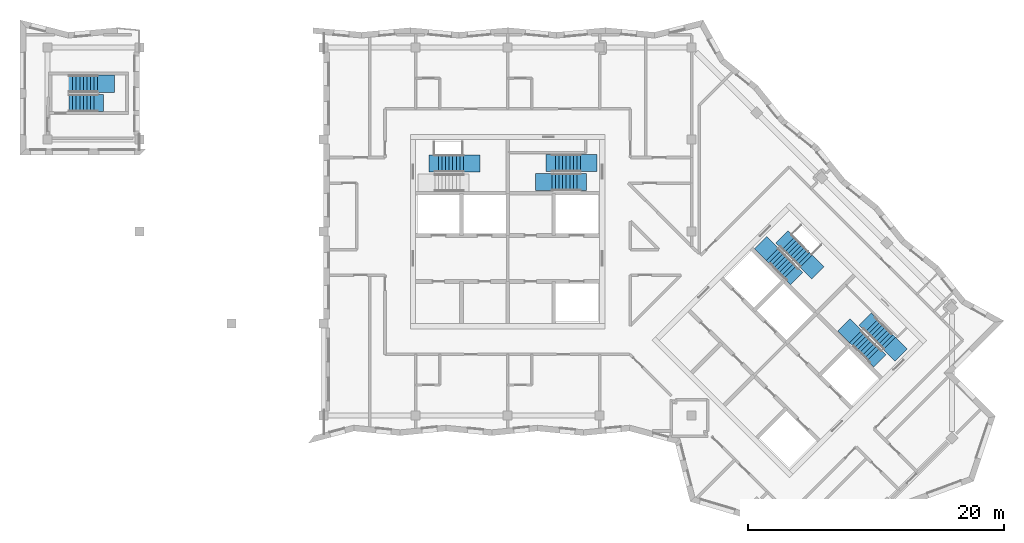
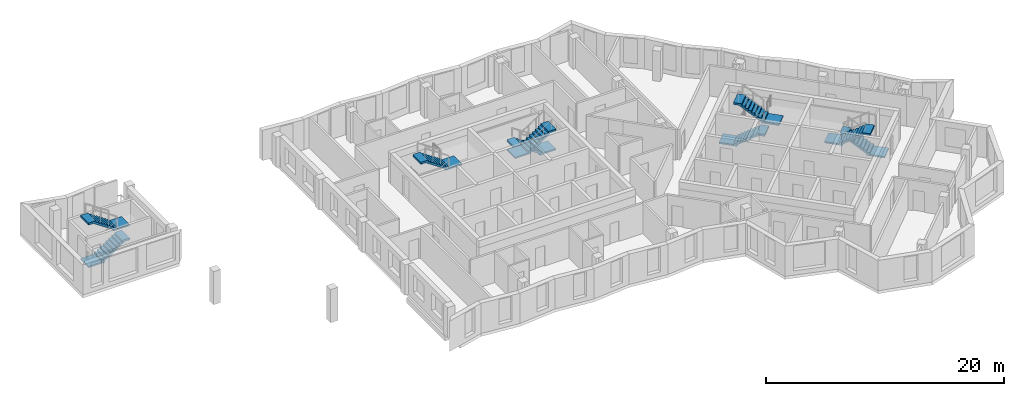
# One storey, part 8 of 12: 9 stair flights, 5 elements without a shape of their own.
"""IFC4 building model written with IfcOpenShell, lengths in metres."""

from ifc_helpers import new_model, si_unit, direction, frame, origin, place, context, subcontext, project, spatial, polyline, outline, extrude, material, type_object, element, aggregate, save


model = new_model("IFC4")

# Units and contexts
model_context = context("Model", 3, precision=1e-05, world=origin(), true_north=direction((0.0, 1.0)))
body_context = subcontext(model_context, "Body", "Model", "MODEL_VIEW")
ifc_project = project(units=[si_unit("LENGTHUNIT", "METRE"), si_unit("AREAUNIT", "SQUARE_METRE"), si_unit("VOLUMEUNIT", "CUBIC_METRE"), si_unit("PLANEANGLEUNIT", "RADIAN"), si_unit("MASSUNIT", "GRAM", prefix="KILO")], contexts=[model_context])

# Site, building, storey
site_placement = place(None, origin())
site = spatial("IfcSite", under=ifc_project, at=site_placement, CompositionType="ELEMENT")
building_placement = place(site_placement, origin())
building = spatial("IfcBuilding", under=site, at=building_placement, Name="Windrow Commons", CompositionType="ELEMENT")
storey_placement = place(building_placement, frame((0.0, 0.0, 250.6)))
storey = spatial("IfcBuildingStorey", under=building, at=storey_placement, Name="L68", CompositionType="ELEMENT", Elevation=250.6)

# Stair, stair flight
ifc_material_1 = material(Name="Concrete C40/50", Category="concrete")
stair_type = type_object("IfcStairType", Name="Core stair", PredefinedType="HALF_TURN_STAIR", material=ifc_material_1)
placement = place(storey_placement, origin())
stair_1 = element("IfcStair", 1, at=placement, inside=storey, type_object=stair_type, Name="L68 Exit stair A1 core A", PredefinedType="HALF_TURN_STAIR")
ifc_material_2 = material(Name="Concrete C40/50", Category="concrete")
stair_flight_type = type_object("IfcStairFlightType", Name="Core stair flight", PredefinedType="STRAIGHT", material=ifc_material_2)
stair_flight_1_placement = place(storey_placement, frame((61.34, 62.925, 1.7), z_axis=(0.0, 0.0, 1.0), x_axis=(-1.0, 0.0, 0.0)))
stair_flight_1 = element("IfcStairFlight", 2, at=stair_flight_1_placement, type_object=stair_flight_type, Name="ST-A1 flight 2", NumberOfRisers=9, NumberOfTreads=8, PredefinedType="STRAIGHT", RiserHeight=0.188888889, TreadLength=0.28, context=body_context, shape_type="SweptSolid", body=[
    extrude(outline(polyline([(-1.3, -0.15), (-1.3, 0.0), (0.0, 0.0), (0.0, 0.1889), (0.28, 0.1889), (0.28, 0.3778), (0.56, 0.3778), (0.56, 0.5667), (0.84, 0.5667), (0.84, 0.7556), (1.12, 0.7556), (1.12, 0.9444), (1.4, 0.9444), (1.4, 1.1333), (1.68, 1.1333), (1.68, 1.3222), (1.96, 1.3222), (1.96, 1.5111), (2.24, 1.5111), (2.69, 1.5111), (2.69, 1.3111), (2.24, 1.3111), (2.24, 1.3302), (0.2682, 0.0), (0.2682, -0.15), (-1.3, -0.15)])), frame((0.0, 0.675, 0.0), z_axis=(0.0, -1.0, 0.0), x_axis=(1.0, 0.0, 0.0)), (0.0, 0.0, 1.0), 1.35),
])
aggregate(stair_1, [stair_flight_1])

# Stair, stair flights
stair_2 = element("IfcStair", 3, at=placement, inside=storey, type_object=stair_type, Name="L68 Exit stair A2 core A", PredefinedType="HALF_TURN_STAIR")
stair_flight_2_placement = place(storey_placement, frame((70.5, 62.98, 0.0), z_axis=(0.0, 0.0, 1.0), x_axis=(-1.0, 0.0, 0.0)))
stair_flight_2 = element("IfcStairFlight", 4, at=stair_flight_2_placement, type_object=stair_flight_type, Name="ST-A2 flight 1", NumberOfRisers=9, NumberOfTreads=8, PredefinedType="STRAIGHT", RiserHeight=0.188888889, TreadLength=0.28, context=body_context, shape_type="SweptSolid", body=[
    extrude(outline(polyline([(-1.3, -0.15), (-1.3, 0.0), (0.0, 0.0), (0.0, 0.1889), (0.28, 0.1889), (0.28, 0.3778), (0.56, 0.3778), (0.56, 0.5667), (0.84, 0.5667), (0.84, 0.7556), (1.12, 0.7556), (1.12, 0.9444), (1.4, 0.9444), (1.4, 1.1333), (1.68, 1.1333), (1.68, 1.3222), (1.96, 1.3222), (1.96, 1.5111), (2.24, 1.5111), (2.69, 1.5111), (2.69, 1.3111), (2.24, 1.3111), (2.24, 1.3302), (0.2682, 0.0), (0.2682, -0.15), (-1.3, -0.15)])), frame((0.0, 0.675, 0.0), z_axis=(0.0, -1.0, 0.0), x_axis=(1.0, 0.0, 0.0)), (0.0, 0.0, 1.0), 1.35),
])
stair_flight_3_placement = place(storey_placement, frame((68.26, 61.48, 1.7), z_axis=(0.0, 0.0, 1.0), x_axis=(1.0, 0.0, 0.0)))
stair_flight_3 = element("IfcStairFlight", 5, at=stair_flight_3_placement, type_object=stair_flight_type, Name="ST-A2 flight 2", NumberOfRisers=9, NumberOfTreads=8, PredefinedType="STRAIGHT", RiserHeight=0.188888889, TreadLength=0.28, context=body_context, shape_type="SweptSolid", body=[
    extrude(outline(polyline([(-1.3, -0.15), (-1.3, 0.0), (0.0, 0.0), (0.0, 0.1889), (0.28, 0.1889), (0.28, 0.3778), (0.56, 0.3778), (0.56, 0.5667), (0.84, 0.5667), (0.84, 0.7556), (1.12, 0.7556), (1.12, 0.9444), (1.4, 0.9444), (1.4, 1.1333), (1.68, 1.1333), (1.68, 1.3222), (1.96, 1.3222), (1.96, 1.5111), (2.24, 1.5111), (2.69, 1.5111), (2.69, 1.3111), (2.24, 1.3111), (2.24, 1.3302), (0.2682, 0.0), (0.2682, -0.15), (-1.3, -0.15)])), frame((0.0, 0.675, 0.0), z_axis=(0.0, -1.0, 0.0), x_axis=(1.0, 0.0, 0.0)), (0.0, 0.0, 1.0), 1.35),
])
aggregate(stair_2, [stair_flight_2, stair_flight_3])

stair_3 = element("IfcStair", 6, at=placement, inside=storey, type_object=stair_type, Name="L68 Exit stair B1 core B", PredefinedType="HALF_TURN_STAIR")
stair_flight_4_placement = place(storey_placement, frame((85.5109, 55.8249, 0.0), z_axis=(0.0, 0.0, 1.0), x_axis=(0.7071067812, -0.7071067812, 0.0)))
stair_flight_4 = element("IfcStairFlight", 7, at=stair_flight_4_placement, type_object=stair_flight_type, Name="ST-B1 flight 1", NumberOfRisers=9, NumberOfTreads=8, PredefinedType="STRAIGHT", RiserHeight=0.188888889, TreadLength=0.28, context=body_context, shape_type="SweptSolid", body=[
    extrude(outline(polyline([(-1.3, -0.15), (-1.3, 0.0), (0.0, 0.0), (0.0, 0.1889), (0.28, 0.1889), (0.28, 0.3778), (0.56, 0.3778), (0.56, 0.5667), (0.84, 0.5667), (0.84, 0.7556), (1.12, 0.7556), (1.12, 0.9444), (1.4, 0.9444), (1.4, 1.1333), (1.68, 1.1333), (1.68, 1.3222), (1.96, 1.3222), (1.96, 1.5111), (2.24, 1.5111), (2.69, 1.5111), (2.69, 1.3111), (2.24, 1.3111), (2.24, 1.3302), (0.2682, 0.0), (0.2682, -0.15), (-1.3, -0.15)])), frame((0.0, 0.675, 0.0), z_axis=(0.0, -1.0, 0.0), x_axis=(1.0, 0.0, 0.0)), (0.0, 0.0, 1.0), 1.35),
])
stair_flight_5_placement = place(storey_placement, frame((88.1555, 55.3017, 1.7), z_axis=(0.0, 0.0, 1.0), x_axis=(-0.7071067812, 0.7071067812, 0.0)))
stair_flight_5 = element("IfcStairFlight", 8, at=stair_flight_5_placement, type_object=stair_flight_type, Name="ST-B1 flight 2", NumberOfRisers=9, NumberOfTreads=8, PredefinedType="STRAIGHT", RiserHeight=0.188888889, TreadLength=0.28, context=body_context, shape_type="SweptSolid", body=[
    extrude(outline(polyline([(-1.3, -0.15), (-1.3, 0.0), (0.0, 0.0), (0.0, 0.1889), (0.28, 0.1889), (0.28, 0.3778), (0.56, 0.3778), (0.56, 0.5667), (0.84, 0.5667), (0.84, 0.7556), (1.12, 0.7556), (1.12, 0.9444), (1.4, 0.9444), (1.4, 1.1333), (1.68, 1.1333), (1.68, 1.3222), (1.96, 1.3222), (1.96, 1.5111), (2.24, 1.5111), (2.69, 1.5111), (2.69, 1.3111), (2.24, 1.3111), (2.24, 1.3302), (0.2682, 0.0), (0.2682, -0.15), (-1.3, -0.15)])), frame((0.0, 0.675, 0.0), z_axis=(0.0, -1.0, 0.0), x_axis=(1.0, 0.0, 0.0)), (0.0, 0.0, 1.0), 1.35),
])
aggregate(stair_3, [stair_flight_4, stair_flight_5])

stair_4 = element("IfcStair", 9, at=placement, inside=storey, type_object=stair_type, Name="L68 Exit stair B2 core B", PredefinedType="HALF_TURN_STAIR")
stair_flight_6_placement = place(storey_placement, frame((94.6715, 48.8635, 0.0), z_axis=(0.0, 0.0, 1.0), x_axis=(-0.7071067812, 0.7071067812, 0.0)))
stair_flight_6 = element("IfcStairFlight", 10, at=stair_flight_6_placement, type_object=stair_flight_type, Name="ST-B2 flight 1", NumberOfRisers=9, NumberOfTreads=8, PredefinedType="STRAIGHT", RiserHeight=0.188888889, TreadLength=0.28, context=body_context, shape_type="SweptSolid", body=[
    extrude(outline(polyline([(-1.3, -0.15), (-1.3, 0.0), (0.0, 0.0), (0.0, 0.1889), (0.28, 0.1889), (0.28, 0.3778), (0.56, 0.3778), (0.56, 0.5667), (0.84, 0.5667), (0.84, 0.7556), (1.12, 0.7556), (1.12, 0.9444), (1.4, 0.9444), (1.4, 1.1333), (1.68, 1.1333), (1.68, 1.3222), (1.96, 1.3222), (1.96, 1.5111), (2.24, 1.5111), (2.69, 1.5111), (2.69, 1.3111), (2.24, 1.3111), (2.24, 1.3302), (0.2682, 0.0), (0.2682, -0.15), (-1.3, -0.15)])), frame((0.0, 0.675, 0.0), z_axis=(0.0, -1.0, 0.0), x_axis=(1.0, 0.0, 0.0)), (0.0, 0.0, 1.0), 1.35),
])
stair_flight_7_placement = place(storey_placement, frame((92.0269, 49.3867, 1.7), z_axis=(0.0, 0.0, 1.0), x_axis=(0.7071067812, -0.7071067812, 0.0)))
stair_flight_7 = element("IfcStairFlight", 11, at=stair_flight_7_placement, type_object=stair_flight_type, Name="ST-B2 flight 2", NumberOfRisers=9, NumberOfTreads=8, PredefinedType="STRAIGHT", RiserHeight=0.188888889, TreadLength=0.28, context=body_context, shape_type="SweptSolid", body=[
    extrude(outline(polyline([(-1.3, -0.15), (-1.3, 0.0), (0.0, 0.0), (0.0, 0.1889), (0.28, 0.1889), (0.28, 0.3778), (0.56, 0.3778), (0.56, 0.5667), (0.84, 0.5667), (0.84, 0.7556), (1.12, 0.7556), (1.12, 0.9444), (1.4, 0.9444), (1.4, 1.1333), (1.68, 1.1333), (1.68, 1.3222), (1.96, 1.3222), (1.96, 1.5111), (2.24, 1.5111), (2.69, 1.5111), (2.69, 1.3111), (2.24, 1.3111), (2.24, 1.3302), (0.2682, 0.0), (0.2682, -0.15), (-1.3, -0.15)])), frame((0.0, 0.675, 0.0), z_axis=(0.0, -1.0, 0.0), x_axis=(1.0, 0.0, 0.0)), (0.0, 0.0, 1.0), 1.35),
])
aggregate(stair_4, [stair_flight_6, stair_flight_7])

stair_5 = element("IfcStair", 12, at=placement, inside=storey, type_object=stair_type, Name="L68 Exit stair W", PredefinedType="HALF_TURN_STAIR")
stair_flight_8_placement = place(storey_placement, frame((30.475, 67.675, 0.0), z_axis=(0.0, 0.0, 1.0), x_axis=(1.0, 0.0, 0.0)))
stair_flight_8 = element("IfcStairFlight", 13, at=stair_flight_8_placement, type_object=stair_flight_type, Name="ST-W flight 1", NumberOfRisers=9, NumberOfTreads=8, PredefinedType="STRAIGHT", RiserHeight=0.188888889, TreadLength=0.28, context=body_context, shape_type="SweptSolid", body=[
    extrude(outline(polyline([(-1.3, -0.15), (-1.3, 0.0), (0.0, 0.0), (0.0, 0.1889), (0.28, 0.1889), (0.28, 0.3778), (0.56, 0.3778), (0.56, 0.5667), (0.84, 0.5667), (0.84, 0.7556), (1.12, 0.7556), (1.12, 0.9444), (1.4, 0.9444), (1.4, 1.1333), (1.68, 1.1333), (1.68, 1.3222), (1.96, 1.3222), (1.96, 1.5111), (2.24, 1.5111), (2.69, 1.5111), (2.69, 1.3111), (2.24, 1.3111), (2.24, 1.3302), (0.2682, 0.0), (0.2682, -0.15), (-1.3, -0.15)])), frame((0.0, 0.675, 0.0), z_axis=(0.0, -1.0, 0.0), x_axis=(1.0, 0.0, 0.0)), (0.0, 0.0, 1.0), 1.35),
])
stair_flight_9_placement = place(storey_placement, frame((32.715, 69.175, 1.7), z_axis=(0.0, 0.0, 1.0), x_axis=(-1.0, 0.0, 0.0)))
stair_flight_9 = element("IfcStairFlight", 14, at=stair_flight_9_placement, type_object=stair_flight_type, Name="ST-W flight 2", NumberOfRisers=9, NumberOfTreads=8, PredefinedType="STRAIGHT", RiserHeight=0.188888889, TreadLength=0.28, context=body_context, shape_type="SweptSolid", body=[
    extrude(outline(polyline([(-1.3, -0.15), (-1.3, 0.0), (0.0, 0.0), (0.0, 0.1889), (0.28, 0.1889), (0.28, 0.3778), (0.56, 0.3778), (0.56, 0.5667), (0.84, 0.5667), (0.84, 0.7556), (1.12, 0.7556), (1.12, 0.9444), (1.4, 0.9444), (1.4, 1.1333), (1.68, 1.1333), (1.68, 1.3222), (1.96, 1.3222), (1.96, 1.5111), (2.24, 1.5111), (2.69, 1.5111), (2.69, 1.3111), (2.24, 1.3111), (2.24, 1.3302), (0.2682, 0.0), (0.2682, -0.15), (-1.3, -0.15)])), frame((0.0, 0.675, 0.0), z_axis=(0.0, -1.0, 0.0), x_axis=(1.0, 0.0, 0.0)), (0.0, 0.0, 1.0), 1.35),
])
aggregate(stair_5, [stair_flight_8, stair_flight_9])

save(model, "model.ifc")
